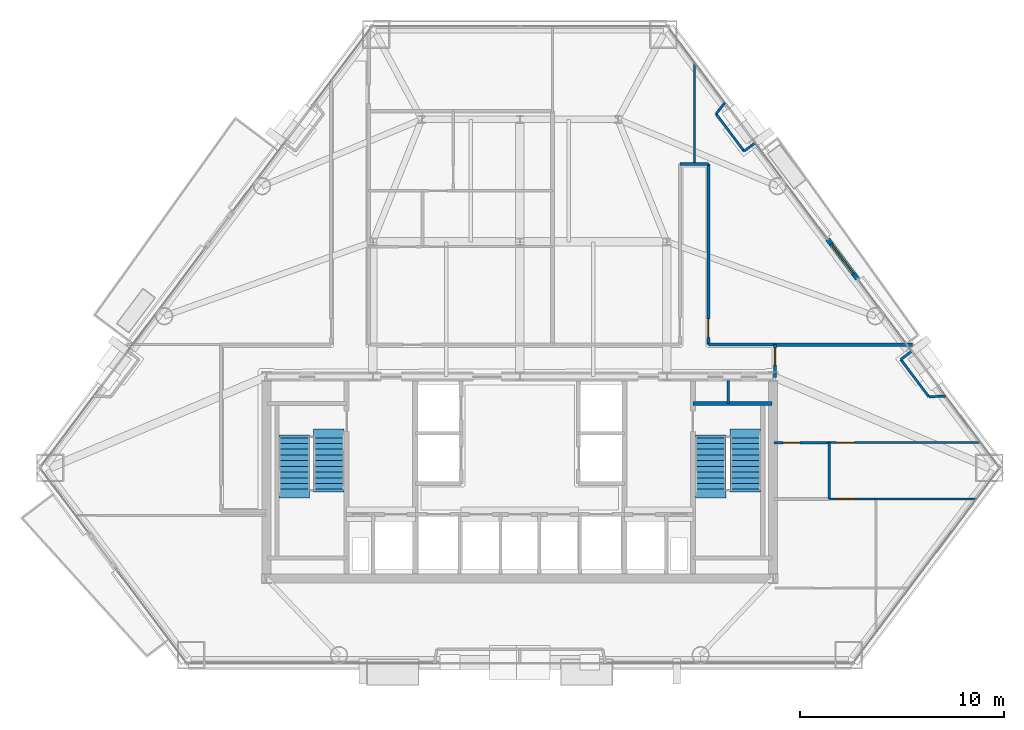
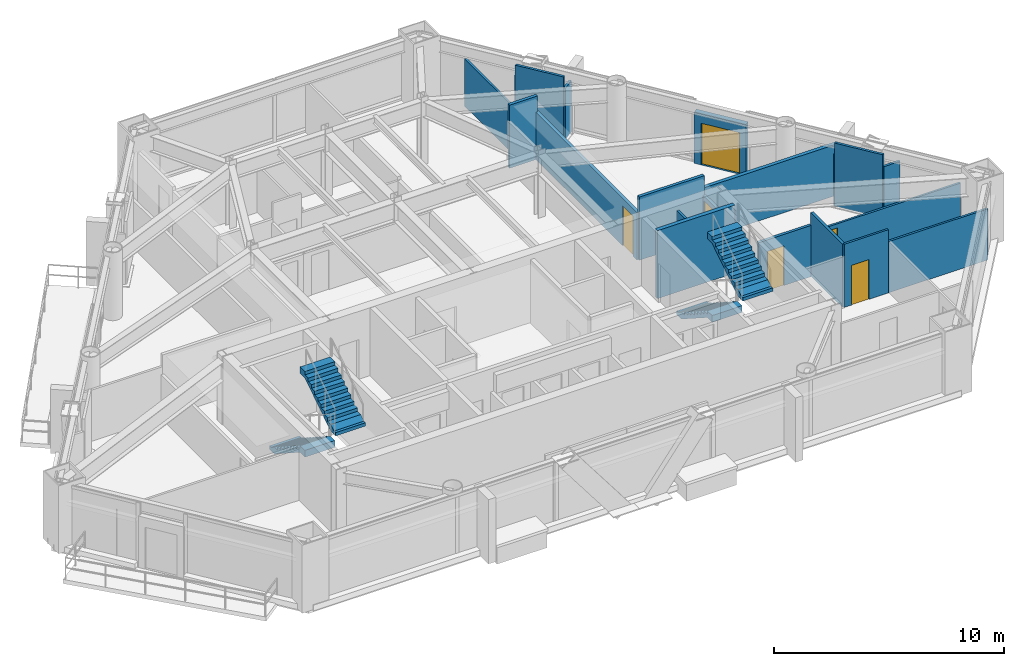
# One storey, part 8 of 10: 20 walls, 6 doors, 4 stair flights, 6 openings, 2 elements without a shape of their own.
"""IFC4 building model written with IfcOpenShell, lengths in metres."""

from ifc_helpers import new_model, si_unit, direction, frame, frame_2d, origin, place, context, subcontext, project, spatial, polyline, rectangle, outline, extrude, material, layer, layer_set, type_object, element, fill, aggregate, save


model = new_model("IFC4")

# Units and contexts
model_context = context("Model", 3, precision=1e-05, world=origin(), true_north=direction((0.0, 1.0)))
body_context = subcontext(model_context, "Body", "Model", "MODEL_VIEW")
ifc_project = project(units=[si_unit("LENGTHUNIT", "METRE"), si_unit("AREAUNIT", "SQUARE_METRE"), si_unit("VOLUMEUNIT", "CUBIC_METRE"), si_unit("PLANEANGLEUNIT", "RADIAN"), si_unit("MASSUNIT", "GRAM", prefix="KILO")], contexts=[model_context])

# Site, building, storey
site_placement = place(None, origin())
site = spatial("IfcSite", under=ifc_project, at=site_placement, CompositionType="ELEMENT")
building_placement = place(site_placement, origin())
building = spatial("IfcBuilding", under=site, at=building_placement, Name="Talgorran Terracotta Tower", CompositionType="ELEMENT")
storey_placement = place(building_placement, frame((0.0, 0.0, 75.60009765625)))
storey = spatial("IfcBuildingStorey", under=building, at=storey_placement, Name="L19", CompositionType="ELEMENT", Elevation=75.60009765625)

# Wall, opening, door
ifc_material_1 = material(Name="Concrete C40/50", Category="concrete")
ifc_layer_1 = layer(ifc_material_1, 0.239990234375, Name="WT_BALCONY_SPAND")
ifc_layer_set_1 = layer_set([ifc_layer_1], Name="Concrete C40/50")
wall_type_1 = type_object("IfcWallType", Name="WT_BALCONY_SPAND", PredefinedType="STANDARD", material=ifc_layer_set_1)
wall_1_placement = place(storey_placement, frame((16.54150390625, 0.5830078125, -0.01513671875), z_axis=(0.0, 0.0, 1.0), x_axis=(-0.601247991813, 0.799062483377, 0.0)))
wall_1 = element("IfcWall", 1, at=wall_1_placement, inside=storey, type_object=wall_type_1, Name="WL-L19-BALP-BAL-NE", PredefinedType="STANDARD", context=body_context, shape_type="SweptSolid", body=[
    extrude(rectangle(XDim=2.43994140625, YDim=0.239990234375, at=frame_2d((1.219970703125, 0.0))), origin(), (0.0, 0.0, 1.0), 2.728515625),
])
opening_1_placement = place(wall_1_placement, frame((0.320068359375, 0.0, 0.014892578125)))
opening_1 = element("IfcOpeningElement", 2, at=opening_1_placement, cuts=wall_1, Name="Opening D-BAL-L19-1", PredefinedType="OPENING", context=body_context, shape_type="SweptSolid", body=[
    extrude(rectangle(XDim=1.806048828125, YDim=2.203951171875, at=frame_2d((0.89990234375, 1.10205078125))), frame((0.0, 0.1298828125, 0.0), z_axis=(0.0, -1.0, 0.0), x_axis=(1.0, 0.0, 0.0)), (0.0, 0.0, 1.0), 0.260009765625),
])
ifc_material_2 = material(Name="Thermally Broken Aluminium", Category="aluminium")
door_type_1 = type_object("IfcDoorType", Name="DT_BALC_1800", OperationType="SLIDING_TO_LEFT", PredefinedType="DOOR", material=ifc_material_2)
door_1_placement = place(opening_1_placement, origin())
door_1 = element("IfcDoor", 3, at=door_1_placement, inside=storey, type_object=door_type_1, Name="DR-L19-BAL-BAL-NE", OperationType="SLIDING_TO_LEFT", OverallHeight=2.199951171875, OverallWidth=1.800048828125, PredefinedType="DOOR", context=body_context, shape_type="SweptSolid", body=[
    extrude(rectangle(XDim=1.800048828125, YDim=2.199951171875, at=frame_2d((0.89990234375, 1.10009765625))), frame((0.0, 0.02490234375, 0.0), z_axis=(0.0, -1.0, 0.0), x_axis=(1.0, 0.0, 0.0)), (0.0, 0.0, 1.0), 0.050048828125),
])
fill(opening_1, door_1)

# Wall
ifc_material_3 = material(Name="Concrete C50/60", Category="concrete")
ifc_layer_2 = layer(ifc_material_3, 0.199951171875, Name="WT_CORE_200")
ifc_layer_set_2 = layer_set([ifc_layer_2], Name="Concrete C50/60")
wall_type_2 = type_object("IfcWallType", Name="WT_CORE_200", PredefinedType="SOLIDWALL", material=ifc_layer_set_2)
wall_2_placement = place(storey_placement, frame((8.47998046875, -5.52001953125, 0.0), z_axis=(0.0, 0.0, 1.0), x_axis=(1.0, 0.0, 0.0)))
element("IfcWall", 4, at=wall_2_placement, inside=storey, type_object=wall_type_2, Name="WL-L19-CW-ST2-N", PredefinedType="SOLIDWALL", context=body_context, shape_type="SweptSolid", body=[
    extrude(rectangle(XDim=3.8701171875, YDim=0.199951171875, at=frame_2d((1.93505859375, 0.0))), origin(), (0.0, 0.0, 1.0), 3.599853515625),
])

# Wall, opening, door
ifc_material_4 = material(Name="Fire-Rated Steel Stud Plasterboard", Category="steel")
ifc_layer_3 = layer(ifc_material_4, 0.14990234375, Name="WT_FIRE_150")
ifc_layer_set_3 = layer_set([ifc_layer_3], Name="Fire-Rated Steel Stud Plasterboard")
wall_type_3 = type_object("IfcWallType", Name="WT_FIRE_150", PredefinedType="PARTITIONING", material=ifc_layer_set_3)
wall_3_placement = place(storey_placement, frame((9.239990234375, -2.639892578125, 0.0), z_axis=(0.0, 0.0, 1.0), x_axis=(0.0, 1.0, 0.0)))
wall_3 = element("IfcWall", 5, at=wall_3_placement, inside=storey, type_object=wall_type_3, Name="WL-L19-W-L19-R14", PredefinedType="PARTITIONING", context=body_context, shape_type="SweptSolid", body=[
    extrude(rectangle(XDim=8.83984375, YDim=0.14990234375, at=frame_2d((4.419921875, 0.0))), origin(), (0.0, 0.0, 1.0), 2.5087890625),
])
opening_2_placement = place(wall_3_placement, frame((0.359375, 0.0, 0.0)))
opening_2 = element("IfcOpeningElement", 6, at=opening_2_placement, cuts=wall_3, Name="Opening DR-L19-R15", PredefinedType="OPENING", context=body_context, shape_type="SweptSolid", body=[
    extrude(rectangle(XDim=0.90590234375, YDim=2.10409765625, at=frame_2d((0.449951171875, 1.052001953125))), frame((0.0, 0.0849609375, 0.0), z_axis=(0.0, -1.0, 0.0), x_axis=(1.0, 0.0, 0.0)), (0.0, 0.0, 1.0), 0.169921875),
])
ifc_material_5 = material(Name="Fire-Rated Timber Core", Category="wood")
door_type_2 = type_object("IfcDoorType", Name="DT_FIRE_900", OperationType="NOTDEFINED", PredefinedType="DOOR", material=ifc_material_5)
door_2_placement = place(opening_2_placement, origin())
door_2 = element("IfcDoor", 7, at=door_2_placement, inside=storey, type_object=door_type_2, Name="DR-L19-R15", OperationType="SINGLE_SWING_LEFT", OverallHeight=2.10009765625, OverallWidth=0.89990234375, PredefinedType="DOOR", context=body_context, shape_type="SweptSolid", body=[
    extrude(rectangle(XDim=0.89990234375, YDim=2.10009765625, at=frame_2d((0.449951171875, 1.050048828125))), frame((0.0, 0.02490234375, 0.0), z_axis=(0.0, -1.0, 0.0), x_axis=(1.0, 0.0, 0.0)), (0.0, 0.0, 1.0), 0.050048828125),
])
fill(opening_2, door_2)

# Wall
wall_4_placement = place(storey_placement, frame((9.239990234375, -2.639892578125, 0.0), z_axis=(0.0, 0.0, 1.0), x_axis=(1.0, 0.0, 0.0)))
element("IfcWall", 8, at=wall_4_placement, inside=storey, type_object=wall_type_3, Name="WL-L19-W-L19-R15", PredefinedType="PARTITIONING", context=body_context, shape_type="SweptSolid", body=[
    extrude(rectangle(XDim=3.260009765625, YDim=0.14990234375, at=frame_2d((1.6298828125, 0.0))), origin(), (0.0, 0.0, 1.0), 3.349853515625),
])

# Wall, opening, door
wall_5_placement = place(storey_placement, frame((12.5, -4.239990234375, 0.0), z_axis=(0.0, 0.0, 1.0), x_axis=(0.0, 1.0, 0.0)))
wall_5 = element("IfcWall", 9, at=wall_5_placement, inside=storey, type_object=wall_type_3, Name="WL-L19-W-L19-R03", PredefinedType="PARTITIONING", context=body_context, shape_type="SweptSolid", body=[
    extrude(rectangle(XDim=1.60009765625, YDim=0.14990234375, at=frame_2d((0.800048828125, 0.0))), origin(), (0.0, 0.0, 1.0), 2.324951171875),
])
opening_3_placement = place(wall_5_placement, frame((0.602294921875, 0.0, 0.0)))
opening_3 = element("IfcOpeningElement", 10, at=opening_3_placement, cuts=wall_5, Name="Opening DR-L19-R03", PredefinedType="OPENING", context=body_context, shape_type="SweptSolid", body=[
    extrude(rectangle(XDim=0.826068359375, YDim=2.10409765625, at=frame_2d((0.41015625, 1.052001953125))), frame((0.0, 0.0849609375, 0.0), z_axis=(0.0, -1.0, 0.0), x_axis=(1.0, 0.0, 0.0)), (0.0, 0.0, 1.0), 0.169921875),
])
ifc_material_6 = material(Name="Moisture-Resistant Solid Timber", Category="wood")
door_type_3 = type_object("IfcDoorType", Name="DT_INT_820", OperationType="NOTDEFINED", PredefinedType="DOOR", material=ifc_material_6)
door_3_placement = place(opening_3_placement, origin())
door_3 = element("IfcDoor", 11, at=door_3_placement, inside=storey, type_object=door_type_3, Name="DR-L19-R03", OperationType="SINGLE_SWING_LEFT", OverallHeight=2.10009765625, OverallWidth=0.820068359375, PredefinedType="DOOR", context=body_context, shape_type="SweptSolid", body=[
    extrude(rectangle(XDim=0.820068359375, YDim=2.10009765625, at=frame_2d((0.41015625, 1.050048828125))), frame((0.0, 0.02490234375, 0.0), z_axis=(0.0, -1.0, 0.0), x_axis=(1.0, 0.0, 0.0)), (0.0, 0.0, 1.0), 0.050048828125),
])
fill(opening_3, door_3)

# Walls
wall_6_placement = place(storey_placement, frame((7.840087890625, 6.199951171875, 0.0), z_axis=(0.0, 0.0, 1.0), x_axis=(1.0, 0.0, 0.0)))
element("IfcWall", 12, at=wall_6_placement, inside=storey, type_object=wall_type_3, Name="WL-L19-W-L19-R12", PredefinedType="PARTITIONING", context=body_context, shape_type="SweptSolid", body=[
    extrude(rectangle(XDim=1.39990234375, YDim=0.14990234375, at=frame_2d((0.699951171875, 0.0))), origin(), (0.0, 0.0, 1.0), 3.349853515625),
])
ifc_material_7 = material(Name="Acoustic Stud and Plasterboard")
ifc_layer_4 = layer(ifc_material_7, 0.179931640625, Name="WT_PARTY_200")
ifc_layer_set_4 = layer_set([ifc_layer_4], Name="Acoustic Stud and Plasterboard")
wall_type_4 = type_object("IfcWallType", Name="WT_PARTY_200", PredefinedType="PARTITIONING", material=ifc_layer_set_4)
wall_7_placement = place(storey_placement, frame((12.5, -2.639892578125, 0.0), z_axis=(0.0, 0.0, 1.0), x_axis=(1.0, 0.0, 0.0)))
element("IfcWall", 13, at=wall_7_placement, inside=storey, type_object=wall_type_4, Name="WL-L19-W-L19-R21", PredefinedType="PARTITIONING", context=body_context, shape_type="SweptSolid", body=[
    extrude(rectangle(XDim=6.739990234375, YDim=0.179931640625, at=frame_2d((3.3701171875, 0.0))), origin(), (0.0, 0.0, 1.0), 2.71337890625),
])

# Wall, opening, door
ifc_material_8 = material(Name="Lightweight Steel Stud Partition", Category="steel")
ifc_layer_5 = layer(ifc_material_8, 0.10498046875, Name="WT_PART_110")
ifc_layer_set_5 = layer_set([ifc_layer_5], Name="Lightweight Steel Stud Partition")
wall_type_5 = type_object("IfcWallType", Name="WT_PART_110", PredefinedType="PARTITIONING", material=ifc_layer_set_5)
wall_8_placement = place(storey_placement, frame((15.080078125, -7.43994140625, 0.0), z_axis=(0.0, 0.0, 1.0), x_axis=(1.0, 0.0, 0.0)))
wall_8 = element("IfcWall", 14, at=wall_8_placement, inside=storey, type_object=wall_type_5, Name="WL-L19-W-L19-R20", PredefinedType="PARTITIONING", context=body_context, shape_type="SweptSolid", body=[
    extrude(rectangle(XDim=7.498046875, YDim=0.10498046875, at=frame_2d((3.7490234375, 0.0))), origin(), (0.0, 0.0, 1.0), 2.324951171875),
])
opening_4_placement = place(wall_8_placement, frame((0.43994140625, 0.0, 0.0)))
opening_4 = element("IfcOpeningElement", 15, at=opening_4_placement, cuts=wall_8, Name="Opening DR-L19-R05", PredefinedType="OPENING", context=body_context, shape_type="SweptSolid", body=[
    extrude(rectangle(XDim=0.8858828125, YDim=2.10409765625, at=frame_2d((0.43994140625, 1.052001953125))), frame((0.0, 0.0625, 0.0), z_axis=(0.0, -1.0, 0.0), x_axis=(1.0, 0.0, 0.0)), (0.0, 0.0, 1.0), 0.125),
])
ifc_material_9 = material(Name="Solid-Core Painted Timber", Category="wood")
door_type_4 = type_object("IfcDoorType", Name="DT_INT_880", OperationType="NOTDEFINED", PredefinedType="DOOR", material=ifc_material_9)
door_4_placement = place(opening_4_placement, origin())
door_4 = element("IfcDoor", 16, at=door_4_placement, inside=storey, type_object=door_type_4, Name="DR-L19-R05", OperationType="SINGLE_SWING_LEFT", OverallHeight=2.10009765625, OverallWidth=0.8798828125, PredefinedType="DOOR", context=body_context, shape_type="SweptSolid", body=[
    extrude(rectangle(XDim=0.8798828125, YDim=2.10009765625, at=frame_2d((0.43994140625, 1.050048828125))), frame((0.0, 0.02490234375, 0.0), z_axis=(0.0, -1.0, 0.0), x_axis=(1.0, 0.0, 0.0)), (0.0, 0.0, 1.0), 0.050048828125),
])
fill(opening_4, door_4)

# Walls
wall_9_placement = place(storey_placement, frame((8.56005859375, 6.199951171875, 0.0), z_axis=(0.0, 0.0, 1.0), x_axis=(0.0, 1.0, 0.0)))
element("IfcWall", 17, at=wall_9_placement, inside=storey, type_object=wall_type_5, Name="WL-L19-W-L19-R41", PredefinedType="PARTITIONING", context=body_context, shape_type="SweptSolid", body=[
    extrude(rectangle(XDim=4.99072265625, YDim=0.10498046875, at=frame_2d((2.495361328125, 0.0))), origin(), (0.0, 0.0, 1.0), 2.5087890625),
])
wall_10_placement = place(storey_placement, frame((17.3798828125, -10.199951171875, 0.0), z_axis=(0.0, 0.0, 1.0), x_axis=(1.0, 0.0, 0.0)))
element("IfcWall", 18, at=wall_10_placement, inside=storey, type_object=wall_type_5, Name="WL-L19-W-L19-R25", PredefinedType="PARTITIONING", context=body_context, shape_type="SweptSolid", body=[
    extrude(rectangle(XDim=4.976806640625, YDim=0.10498046875, at=frame_2d((2.48828125, 0.0))), origin(), (0.0, 0.0, 1.0), 2.71337890625),
])

# Wall, opening, door
wall_11_placement = place(storey_placement, frame((15.159912109375, -10.199951171875, 0.0), z_axis=(0.0, 0.0, 1.0), x_axis=(1.0, 0.0, 0.0)))
wall_11 = element("IfcWall", 19, at=wall_11_placement, inside=storey, type_object=wall_type_5, Name="WL-L19-W-L19-R24", PredefinedType="PARTITIONING", context=body_context, shape_type="SweptSolid", body=[
    extrude(rectangle(XDim=2.218017578125, YDim=0.10498046875, at=frame_2d((1.10888671875, 0.0))), origin(), (0.0, 0.0, 1.0), 3.349853515625),
])
opening_5_placement = place(wall_11_placement, frame((0.356201171875, 0.0, 0.0)))
opening_5 = element("IfcOpeningElement", 20, at=opening_5_placement, cuts=wall_11, Name="Opening DR-L19-R17", PredefinedType="OPENING", context=body_context, shape_type="SweptSolid", body=[
    extrude(rectangle(XDim=0.8858828125, YDim=2.10409765625, at=frame_2d((0.43994140625, 1.052001953125))), frame((0.0, 0.0625, 0.0), z_axis=(0.0, -1.0, 0.0), x_axis=(1.0, 0.0, 0.0)), (0.0, 0.0, 1.0), 0.125),
])
door_5_placement = place(opening_5_placement, origin())
door_5 = element("IfcDoor", 21, at=door_5_placement, inside=storey, type_object=door_type_4, Name="DR-L19-R17", OperationType="SINGLE_SWING_LEFT", OverallHeight=2.10009765625, OverallWidth=0.8798828125, PredefinedType="DOOR", context=body_context, shape_type="SweptSolid", body=[
    extrude(rectangle(XDim=0.8798828125, YDim=2.10009765625, at=frame_2d((0.43994140625, 1.050048828125))), frame((0.0, 0.02490234375, 0.0), z_axis=(0.0, -1.0, 0.0), x_axis=(1.0, 0.0, 0.0)), (0.0, 0.0, 1.0), 0.050048828125),
])
fill(opening_5, door_5)

# Walls
ifc_material_10 = material(Name="Insulated Steel Stud Plasterboard", Category="steel")
ifc_layer_6 = layer(ifc_material_10, 0.1201171875, Name="WT_PART_120")
ifc_layer_set_6 = layer_set([ifc_layer_6], Name="Insulated Steel Stud Plasterboard")
wall_type_6 = type_object("IfcWallType", Name="WT_PART_120", PredefinedType="PARTITIONING", material=ifc_layer_set_6)
wall_12_placement = place(storey_placement, frame((10.199951171875, -5.52001953125, 0.0), z_axis=(0.0, 0.0, 1.0), x_axis=(0.0, 1.0, 0.0)))
element("IfcWall", 22, at=wall_12_placement, inside=storey, type_object=wall_type_6, Name="WL-L19-CW-CSE-DIV", PredefinedType="PARTITIONING", context=body_context, shape_type="SweptSolid", body=[
    extrude(rectangle(XDim=1.1201171875, YDim=0.1201171875, at=frame_2d((0.56005859375, 0.0))), origin(), (0.0, 0.0, 1.0), 3.349853515625),
])
for number, where, z_axis, x_axis, name in (
    (23, (10.985595703125, 6.836181640625, 0.0), (0.0, 0.0, 1.0), (-0.601301632327, 0.799022119194, 0.0), "WL-L19-BW-L19-17"),
    (24, (20.0322265625, -5.18701171875, 0.0), (0.0, 0.0, 1.0), (-0.601301632327, 0.799022119194, 0.0), "WL-L19-BW-L19-12"),
):
    element("IfcWall", number, at=place(storey_placement, frame(where, z_axis=z_axis, x_axis=x_axis)), inside=storey, type_object=wall_type_6, Name=name, PredefinedType="PARTITIONING", context=body_context, shape_type="SweptSolid", body=[
        extrude(rectangle(XDim=2.279296875, YDim=0.1201171875, at=frame_2d((1.1396484375, 0.0))), origin(), (0.0, 0.0, 1.0), 3.349853515625),
    ])
wall_13_placement = place(storey_placement, frame((20.8564453125, -5.168212890625, 0.0), z_axis=(0.0, 0.0, 1.0), x_axis=(-0.999739997708, -0.022802126725, 0.0)))
element("IfcWall", 25, at=wall_13_placement, inside=storey, type_object=wall_type_6, Name="WL-L19-BW-L19-11", PredefinedType="PARTITIONING", context=body_context, shape_type="SweptSolid", body=[
    extrude(rectangle(XDim=0.824462890625, YDim=0.1201171875, at=frame_2d((0.412109375, 0.0))), origin(), (0.0, 0.0, 1.0), 2.71337890625),
])
wall_14_placement = place(storey_placement, frame((9.614990234375, 8.657470703125, 0.0), z_axis=(0.0, 0.0, 1.0), x_axis=(0.613137094739, 0.789976520572, 0.0)))
element("IfcWall", 26, at=wall_14_placement, inside=storey, type_object=wall_type_6, Name="WL-L19-BW-L19-18", PredefinedType="PARTITIONING", context=body_context, shape_type="SweptSolid", body=[
    extrude(rectangle(XDim=0.6943359375, YDim=0.1201171875, at=frame_2d((0.34716796875, 0.0))), origin(), (0.0, 0.0, 1.0), 2.71337890625),
])
for number, where, z_axis, x_axis, name in (
    (27, (18.66162109375, -3.36572265625, 0.0), (0.0, 0.0, 1.0), (0.799080830747, 0.601223607265, 0.0), "WL-L19-BW-L19-10"),
    (28, (11.52099609375, 7.239013671875, 0.0), (0.0, 0.0, 1.0), (-0.799080830747, -0.601223607265, 0.0), "WL-L19-BW-L19-16"),
):
    element("IfcWall", number, at=place(storey_placement, frame(where, z_axis=z_axis, x_axis=x_axis)), inside=storey, type_object=wall_type_6, Name=name, PredefinedType="PARTITIONING", context=body_context, shape_type="SweptSolid", body=[
        extrude(rectangle(XDim=0.669921875, YDim=0.1201171875, at=frame_2d((0.3349609375, 0.0))), origin(), (0.0, 0.0, 1.0), 2.71337890625),
    ])

# Wall, opening, door
ifc_material_11 = material(Name="Moisture-Resistant Stud Wall")
ifc_layer_7 = layer(ifc_material_11, 0.135009765625, Name="WT_PART_135")
ifc_layer_set_7 = layer_set([ifc_layer_7], Name="Moisture-Resistant Stud Wall")
wall_type_7 = type_object("IfcWallType", Name="WT_PART_135", PredefinedType="PARTITIONING", material=ifc_layer_set_7)
wall_15_placement = place(storey_placement, frame((12.43994140625, -7.43994140625, 0.0), z_axis=(0.0, 0.0, 1.0), x_axis=(1.0, 0.0, 0.0)))
wall_15 = element("IfcWall", 29, at=wall_15_placement, inside=storey, type_object=wall_type_7, Name="WL-L19-W-L19-R19", PredefinedType="PARTITIONING", context=body_context, shape_type="SweptSolid", body=[
    extrude(rectangle(XDim=2.637939453125, YDim=0.135009765625, at=frame_2d((1.31884765625, 0.0))), origin(), (0.0, 0.0, 1.0), 2.71337890625),
])
opening_6_placement = place(wall_15_placement, frame((0.457763671875, 0.0, 0.0)))
opening_6 = element("IfcOpeningElement", 30, at=opening_6_placement, cuts=wall_15, Name="Opening DR-L19-R04", PredefinedType="OPENING", context=body_context, shape_type="SweptSolid", body=[
    extrude(rectangle(XDim=0.826068359375, YDim=2.10409765625, at=frame_2d((0.41015625, 1.052001953125))), frame((0.0, 0.07763671875, 0.0), z_axis=(0.0, -1.0, 0.0), x_axis=(1.0, 0.0, 0.0)), (0.0, 0.0, 1.0), 0.155029296875),
])
door_6_placement = place(opening_6_placement, origin())
door_6 = element("IfcDoor", 31, at=door_6_placement, inside=storey, type_object=door_type_3, Name="DR-L19-R04", OperationType="SINGLE_SWING_RIGHT", OverallHeight=2.10009765625, OverallWidth=0.820068359375, PredefinedType="DOOR", context=body_context, shape_type="SweptSolid", body=[
    extrude(rectangle(XDim=0.820068359375, YDim=2.10009765625, at=frame_2d((0.41015625, 1.050048828125))), frame((0.0, 0.02490234375, 0.0), z_axis=(0.0, -1.0, 0.0), x_axis=(1.0, 0.0, 0.0)), (0.0, 0.0, 1.0), 0.050048828125),
])
fill(opening_6, door_6)

# Wall
wall_16_placement = place(storey_placement, frame((15.159912109375, -10.199951171875, 0.0), z_axis=(0.0, 0.0, 1.0), x_axis=(0.0, 1.0, 0.0)))
element("IfcWall", 32, at=wall_16_placement, inside=storey, type_object=wall_type_7, Name="WL-L19-W-L19-R22", PredefinedType="PARTITIONING", context=body_context, shape_type="SweptSolid", body=[
    extrude(rectangle(XDim=2.760009765625, YDim=0.135009765625, at=frame_2d((1.3798828125, 0.0))), origin(), (0.0, 0.0, 1.0), 3.349853515625),
])

# Stair, stair flights
stair_type = type_object("IfcStairType", Name="ST_FIRE_SCISSOR", PredefinedType="HALF_TURN_STAIR", material=ifc_material_1)
stair_1_placement = place(storey_placement, origin())
stair_1 = element("IfcStair", 33, at=stair_1_placement, inside=storey, type_object=stair_type, Name="L19 West Protected Fire Stair ST-01", PredefinedType="HALF_TURN_STAIR")
ifc_layer_8 = layer(ifc_material_1, 0.179931640625, Name="STF_RC_1500")
ifc_layer_set_8 = layer_set([ifc_layer_8], Name="Concrete C40/50")
stair_flight_type = type_object("IfcStairFlightType", Name="STF_RC_1500", PredefinedType="STRAIGHT", material=ifc_layer_set_8)
stair_flight_1_placement = place(storey_placement, frame((-11.050048828125, -7.199951171875, 0.0), z_axis=(0.0, 0.0, 1.0), x_axis=(0.0, -1.0, 0.0)))
stair_flight_1 = element("IfcStairFlight", 34, at=stair_flight_1_placement, type_object=stair_flight_type, Name="ST-01 flight 1", NumberOfRisers=10, NumberOfTreads=9, PredefinedType="STRAIGHT", RiserHeight=0.18, TreadLength=0.28, context=body_context, shape_type="SweptSolid", body=[
    extrude(outline(polyline([(-0.139892578125, 0.0), (-0.139892578125, 0.179931640625), (0.0, 0.179931640625), (0.280029296875, 0.360107421875), (0.56005859375, 0.360107421875), (0.56005859375, 0.5400390625), (0.840087890625, 0.5400390625), (0.840087890625, 0.719970703125), (1.1201171875, 0.719970703125), (1.1201171875, 0.89990234375), (1.39990234375, 0.89990234375), (1.39990234375, 1.080078125), (1.679931640625, 1.080078125), (1.679931640625, 1.260009765625), (1.9599609375, 1.260009765625), (1.9599609375, 1.43994140625), (2.239990234375, 1.43994140625), (2.239990234375, 1.6201171875), (2.52001953125, 1.6201171875), (2.52001953125, 1.800048828125), (2.93994140625, 1.800048828125), (2.93994140625, 1.44189453125), (2.52001953125, 1.44189453125), (0.277099609375, 0.0), (-0.139892578125, 0.0)])), frame((0.0, 0.75, 0.0), z_axis=(0.0, -1.0, 0.0), x_axis=(1.0, 0.0, 0.0)), (0.0, 0.0, 1.0), 1.5),
])
stair_flight_2_placement = place(storey_placement, frame((-9.35009765625, -9.719970703125, 1.7998046875), z_axis=(0.0, 0.0, 1.0), x_axis=(0.0, 1.0, 0.0)))
stair_flight_2 = element("IfcStairFlight", 35, at=stair_flight_2_placement, type_object=stair_flight_type, Name="ST-01 flight 2", NumberOfRisers=10, NumberOfTreads=9, PredefinedType="STRAIGHT", RiserHeight=0.18, TreadLength=0.28, context=body_context, shape_type="SweptSolid", body=[
    extrude(outline(polyline([(-0.139892578125, 0.0), (-0.139892578125, 0.179931640625), (0.0, 0.179931640625), (0.280029296875, 0.360107421875), (0.56005859375, 0.360107421875), (0.56005859375, 0.5400390625), (0.840087890625, 0.5400390625), (0.840087890625, 0.719970703125), (1.1201171875, 0.719970703125), (1.1201171875, 0.89990234375), (1.39990234375, 0.89990234375), (1.39990234375, 1.080078125), (1.679931640625, 1.080078125), (1.679931640625, 1.260009765625), (1.9599609375, 1.260009765625), (1.9599609375, 1.43994140625), (2.239990234375, 1.43994140625), (2.239990234375, 1.6201171875), (2.52001953125, 1.6201171875), (2.52001953125, 1.800048828125), (2.93994140625, 1.800048828125), (2.93994140625, 1.44189453125), (2.52001953125, 1.44189453125), (0.277099609375, 0.0), (-0.139892578125, 0.0)])), frame((0.0, 0.75, 0.0), z_axis=(0.0, -1.0, 0.0), x_axis=(1.0, 0.0, 0.0)), (0.0, 0.0, 1.0), 1.5),
])
aggregate(stair_1, [stair_flight_1, stair_flight_2])

stair_2_placement = place(storey_placement, origin())
stair_2 = element("IfcStair", 36, at=stair_2_placement, inside=storey, type_object=stair_type, Name="L19 East Protected Fire Stair ST-02", PredefinedType="HALF_TURN_STAIR")
stair_flight_3_placement = place(storey_placement, frame((9.35009765625, -7.199951171875, 0.0), z_axis=(0.0, 0.0, 1.0), x_axis=(0.0, -1.0, 0.0)))
stair_flight_3 = element("IfcStairFlight", 37, at=stair_flight_3_placement, type_object=stair_flight_type, Name="ST-02 flight 1", NumberOfRisers=10, NumberOfTreads=9, PredefinedType="STRAIGHT", RiserHeight=0.18, TreadLength=0.28, context=body_context, shape_type="SweptSolid", body=[
    extrude(outline(polyline([(-0.139892578125, 0.0), (-0.139892578125, 0.179931640625), (0.0, 0.179931640625), (0.280029296875, 0.360107421875), (0.56005859375, 0.360107421875), (0.56005859375, 0.5400390625), (0.840087890625, 0.5400390625), (0.840087890625, 0.719970703125), (1.1201171875, 0.719970703125), (1.1201171875, 0.89990234375), (1.39990234375, 0.89990234375), (1.39990234375, 1.080078125), (1.679931640625, 1.080078125), (1.679931640625, 1.260009765625), (1.9599609375, 1.260009765625), (1.9599609375, 1.43994140625), (2.239990234375, 1.43994140625), (2.239990234375, 1.6201171875), (2.52001953125, 1.6201171875), (2.52001953125, 1.800048828125), (2.93994140625, 1.800048828125), (2.93994140625, 1.44189453125), (2.52001953125, 1.44189453125), (0.277099609375, 0.0), (-0.139892578125, 0.0)])), frame((0.0, 0.75, 0.0), z_axis=(0.0, -1.0, 0.0), x_axis=(1.0, 0.0, 0.0)), (0.0, 0.0, 1.0), 1.5),
])
stair_flight_4_placement = place(storey_placement, frame((11.050048828125, -9.719970703125, 1.7998046875), z_axis=(0.0, 0.0, 1.0), x_axis=(0.0, 1.0, 0.0)))
stair_flight_4 = element("IfcStairFlight", 38, at=stair_flight_4_placement, type_object=stair_flight_type, Name="ST-02 flight 2", NumberOfRisers=10, NumberOfTreads=9, PredefinedType="STRAIGHT", RiserHeight=0.18, TreadLength=0.28, context=body_context, shape_type="SweptSolid", body=[
    extrude(outline(polyline([(-0.139892578125, 0.0), (-0.139892578125, 0.179931640625), (0.0, 0.179931640625), (0.280029296875, 0.360107421875), (0.56005859375, 0.360107421875), (0.56005859375, 0.5400390625), (0.840087890625, 0.5400390625), (0.840087890625, 0.719970703125), (1.1201171875, 0.719970703125), (1.1201171875, 0.89990234375), (1.39990234375, 0.89990234375), (1.39990234375, 1.080078125), (1.679931640625, 1.080078125), (1.679931640625, 1.260009765625), (1.9599609375, 1.260009765625), (1.9599609375, 1.43994140625), (2.239990234375, 1.43994140625), (2.239990234375, 1.6201171875), (2.52001953125, 1.6201171875), (2.52001953125, 1.800048828125), (2.93994140625, 1.800048828125), (2.93994140625, 1.44189453125), (2.52001953125, 1.44189453125), (0.277099609375, 0.0), (-0.139892578125, 0.0)])), frame((0.0, 0.75, 0.0), z_axis=(0.0, -1.0, 0.0), x_axis=(1.0, 0.0, 0.0)), (0.0, 0.0, 1.0), 1.5),
])
aggregate(stair_2, [stair_flight_3, stair_flight_4])

save(model, "model.ifc")
